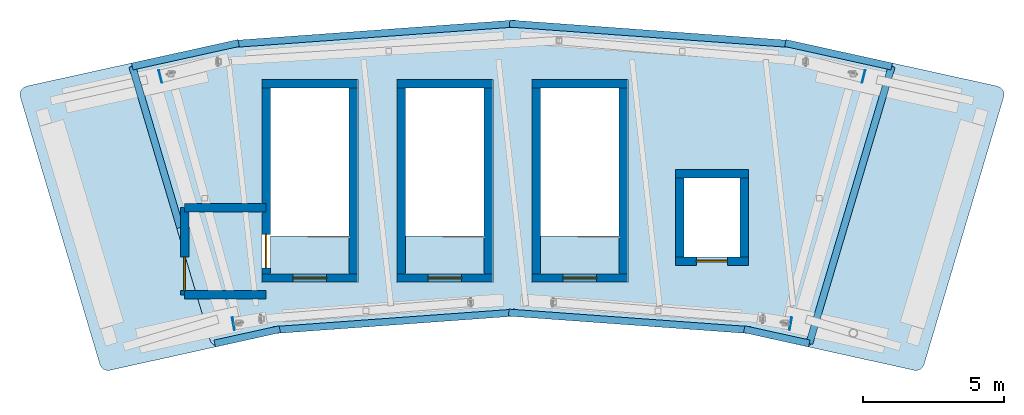
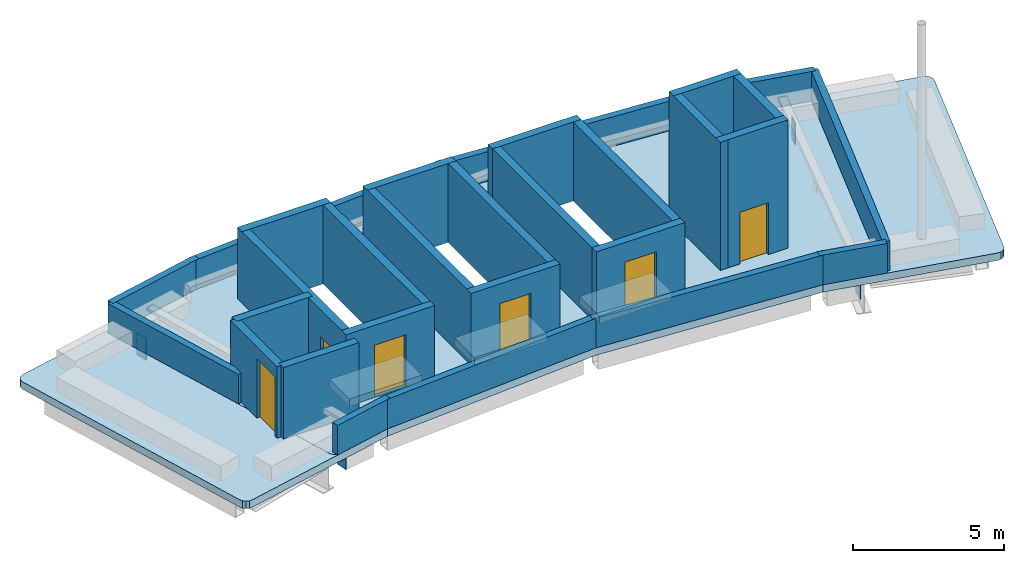
# One storey, part 3 of 6: 29 walls, 6 doors, 6 slabs, 4 discrete accessories, 6 openings.
"""IFC4 building model written with IfcOpenShell, lengths in metres."""

from ifc_helpers import new_model, si_unit, direction, frame, frame_2d, origin, origin_2d, place, context, subcontext, project, spatial, polyline, rectangle, outline, extrude, material, layer, layer_set, type_object, element, fill, save


model = new_model("IFC4")

# Units and contexts
model_context = context("Model", 3, precision=1e-05, world=origin(), true_north=direction((0.0, 1.0)))
body_context = subcontext(model_context, "Body", "Model", "MODEL_VIEW")
ifc_project = project(units=[si_unit("LENGTHUNIT", "METRE"), si_unit("AREAUNIT", "SQUARE_METRE"), si_unit("VOLUMEUNIT", "CUBIC_METRE"), si_unit("PLANEANGLEUNIT", "RADIAN"), si_unit("MASSUNIT", "GRAM", prefix="KILO")], contexts=[model_context])

# Site, building, storey
site_placement = place(None, origin())
site = spatial("IfcSite", under=ifc_project, at=site_placement, CompositionType="ELEMENT")
building_placement = place(site_placement, origin())
building = spatial("IfcBuilding", under=site, at=building_placement, Name="Tuul Gate Civic Tower", CompositionType="ELEMENT")
storey_placement = place(building_placement, frame((0.0, 0.0, 384.10009765625)))
storey = spatial("IfcBuildingStorey", under=building, at=storey_placement, Name="Roof", CompositionType="ELEMENT", Elevation=384.10009765625)

# Slabs
ifc_material_1 = material(Name="Concrete C40/50", Category="concrete")
ifc_layer_1 = layer(ifc_material_1, 0.300048828125)
ifc_layer_set_1 = layer_set([ifc_layer_1], Name="Concrete C40/50")
slab_type_1 = type_object("IfcSlabType", Name="Core floor slab 300", PredefinedType="FLOOR", material=ifc_layer_set_1)
slab_1_placement = place(storey_placement, frame((0.0, 0.0, -0.300048828125)))
element("IfcSlab", 1, at=slab_1_placement, inside=storey, type_object=slab_type_1, Name="FLOOR SLAB", PredefinedType="FLOOR", context=body_context, shape_type="SweptSolid", body=[
    extrude(outline(polyline([(-3.610107421875, -0.590087890625), (-3.610107421875, 0.75), (-6.389892578125, 0.75), (-6.389892578125, -0.590087890625), (-3.610107421875, -0.590087890625)])), origin(), (0.0, 0.0, 1.0), 0.300048828125),
])
slab_2_placement = place(storey_placement, frame((0.0, 0.0, -0.300048828125)))
element("IfcSlab", 2, at=slab_2_placement, inside=storey, type_object=slab_type_1, Name="FLOOR SLAB", PredefinedType="FLOOR", context=body_context, shape_type="SweptSolid", body=[
    extrude(outline(polyline([(1.18994140625, -0.590087890625), (1.18994140625, 0.75), (-1.590087890625, 0.75), (-1.590087890625, -0.590087890625), (1.18994140625, -0.590087890625)])), origin(), (0.0, 0.0, 1.0), 0.300048828125),
])
slab_3_placement = place(storey_placement, frame((0.0, 0.0, -0.300048828125)))
element("IfcSlab", 3, at=slab_3_placement, inside=storey, type_object=slab_type_1, Name="FLOOR SLAB", PredefinedType="FLOOR", context=body_context, shape_type="SweptSolid", body=[
    extrude(outline(polyline([(5.989990234375, -0.590087890625), (5.989990234375, 0.75), (3.2099609375, 0.75), (3.2099609375, -0.590087890625), (5.989990234375, -0.590087890625)])), origin(), (0.0, 0.0, 1.0), 0.300048828125),
])
ifc_material_2 = material(Name="Concrete C40/50", Category="concrete")
ifc_layer_2 = layer(ifc_material_2, 0.300048828125)
ifc_layer_set_2 = layer_set([ifc_layer_2], Name="Concrete C40/50")
slab_type_2 = type_object("IfcSlabType", Name="STR-ROOF-SLAB-300", PredefinedType="ROOF", material=ifc_layer_set_2)
slab_4_placement = place(storey_placement, frame((0.0, 0.0, -0.300048828125)))
element("IfcSlab", 4, at=slab_4_placement, inside=storey, type_object=slab_type_2, Name="deck terrace", PredefinedType="ROOF", context=body_context, shape_type="SweptSolid", body=[
    extrude(outline(polyline([(12.875, -3.05810546875), (12.927001953125, -2.958984375), (15.758056640625, 6.554931640625), (15.76806640625, 6.677001953125), (15.72900390625, 6.79296875), (15.64599609375, 6.883056640625), (15.534912109375, 6.93310546875), (12.06103515625, 7.698974609375), (2.19189453125, 8.4140625), (-7.677001953125, 7.698974609375), (-11.15087890625, 6.93310546875), (-11.261962890625, 6.883056640625), (-11.344970703125, 6.79296875), (-11.384033203125, 6.677001953125), (-11.3740234375, 6.554931640625), (-8.54296875, -2.958984375), (-8.490966796875, -3.05810546875), (-8.406982421875, -3.132080078125), (-8.302001953125, -3.169921875), (-8.19091796875, -3.166015625), (-6.159912109375, -2.718994140625), (2.19189453125, -2.114013671875), (10.5439453125, -2.718994140625), (12.574951171875, -3.166015625), (12.68603515625, -3.169921875), (12.791015625, -3.132080078125), (12.875, -3.05810546875)]), holes=[polyline([(10.300048828125, 0.0), (8.300048828125, 0.0), (8.300048828125, 2.800048828125), (10.300048828125, 2.800048828125), (10.300048828125, 0.0)]), polyline([(-6.7099609375, -0.909912109375), (-6.7099609375, 6.31005859375), (-3.2900390625, 6.31005859375), (-3.2900390625, -0.909912109375), (-6.7099609375, -0.909912109375)]), polyline([(-1.909912109375, -0.909912109375), (-1.909912109375, 6.31005859375), (1.510009765625, 6.31005859375), (1.510009765625, -0.909912109375), (-1.909912109375, -0.909912109375)]), polyline([(2.889892578125, -0.909912109375), (2.889892578125, 6.31005859375), (6.31005859375, 6.31005859375), (6.31005859375, -0.909912109375), (2.889892578125, -0.909912109375)])]), origin(), (0.0, 0.0, 1.0), 0.300048828125),
])
ifc_material_3 = material(Name="Concrete C40/50", Category="concrete")
ifc_layer_3 = layer(ifc_material_3, 0.300048828125)
ifc_layer_set_3 = layer_set([ifc_layer_3], Name="Concrete C40/50")
slab_type_3 = type_object("IfcSlabType", Name="STR-TERRACE-SLAB-300", PredefinedType="ROOF", material=ifc_layer_set_3)
slab_5_placement = place(storey_placement, frame((0.0, 0.0, -0.300048828125)))
element("IfcSlab", 5, at=slab_5_placement, inside=storey, type_object=slab_type_3, Name="terrace 1", PredefinedType="ROOF", context=body_context, shape_type="SweptSolid", body=[
    extrude(outline(polyline([(19.450927734375, 6.070068359375), (19.56298828125, 6.02001953125), (19.64501953125, 5.928955078125), (19.68408203125, 5.81298828125), (19.674072265625, 5.69189453125), (16.843017578125, -3.822021484375), (16.7919921875, -3.9208984375), (16.7080078125, -3.9951171875), (16.60302734375, -4.032958984375), (16.490966796875, -4.030029296875), (10.5439453125, -2.718994140625), (12.574951171875, -3.166015625), (12.68603515625, -3.169921875), (12.791015625, -3.132080078125), (12.875, -3.05810546875), (12.927001953125, -2.958984375), (15.758056640625, 6.554931640625), (15.76806640625, 6.677001953125), (15.72900390625, 6.79296875), (15.64599609375, 6.883056640625), (15.534912109375, 6.93310546875), (12.06103515625, 7.698974609375), (19.450927734375, 6.070068359375)])), origin(), (0.0, 0.0, 1.0), 0.300048828125),
])
slab_6_placement = place(storey_placement, frame((0.0, 0.0, -0.300048828125)))
element("IfcSlab", 6, at=slab_6_placement, inside=storey, type_object=slab_type_3, Name="terrace 2", PredefinedType="ROOF", context=body_context, shape_type="SweptSolid", body=[
    extrude(outline(polyline([(-12.10693359375, -4.030029296875), (-12.218994140625, -4.032958984375), (-12.323974609375, -3.9951171875), (-12.407958984375, -3.9208984375), (-12.458984375, -3.822021484375), (-15.2900390625, 5.69189453125), (-15.300048828125, 5.81298828125), (-15.260986328125, 5.928955078125), (-15.178955078125, 6.02001953125), (-15.06689453125, 6.070068359375), (-7.677001953125, 7.698974609375), (-11.15087890625, 6.93310546875), (-11.261962890625, 6.883056640625), (-11.344970703125, 6.79296875), (-11.384033203125, 6.677001953125), (-11.3740234375, 6.554931640625), (-8.54296875, -2.958984375), (-8.490966796875, -3.05810546875), (-8.406982421875, -3.132080078125), (-8.302001953125, -3.169921875), (-8.19091796875, -3.166015625), (-6.159912109375, -2.718994140625), (-12.10693359375, -4.030029296875)])), origin(), (0.0, 0.0, 1.0), 0.300048828125),
])

# Wall
ifc_material_4 = material(Name="Concrete C50/60", Category="concrete")
ifc_layer_4 = layer(ifc_material_4, 0.300048828125)
ifc_layer_set_4 = layer_set([ifc_layer_4], Name="Concrete C50/60")
wall_type_1 = type_object("IfcWallType", Name="Core wall C50/60", PredefinedType="SHEAR", material=ifc_layer_set_4)
wall_1_placement = place(storey_placement, frame((-3.449951171875, -0.89990234375, -0.300048828125), z_axis=(0.0, 0.0, 1.0), x_axis=(0.0, 1.0, 0.0)))
element("IfcWall", 7, at=wall_1_placement, inside=storey, type_object=wall_type_1, Name="Core wall", PredefinedType="SHEAR", context=body_context, shape_type="SweptSolid", body=[
    extrude(rectangle(XDim=7.199951171875, YDim=0.300048828125, at=frame_2d((3.60009765625, 0.0))), origin(), (0.0, 0.0, 1.0), 3.199951171875),
])

# Wall, opening, door
wall_2_placement = place(storey_placement, frame((-6.550048828125, 6.300048828125, -0.300048828125), z_axis=(0.0, 0.0, 1.0), x_axis=(0.0, -1.0, 0.0)))
wall_2 = element("IfcWall", 8, at=wall_2_placement, inside=storey, type_object=wall_type_1, Name="Core wall", PredefinedType="SHEAR", context=body_context, shape_type="SweptSolid", body=[
    extrude(rectangle(XDim=7.199951171875, YDim=0.300048828125, at=frame_2d((3.60009765625, 0.0))), origin(), (0.0, 0.0, 1.0), 3.199951171875),
])
opening_1_placement = place(wall_2_placement, frame((5.5, 0.0, 0.0)))
opening_1 = element("IfcOpeningElement", 9, at=opening_1_placement, cuts=wall_2, Name="Opening SD-ST-5", PredefinedType="OPENING", context=body_context, shape_type="SweptSolid", body=[
    extrude(rectangle(XDim=1.199951171875, YDim=2.10009765625, at=frame_2d((0.60009765625, 1.050048828125))), frame((0.0, 0.16015625, 0.0), z_axis=(0.0, -1.0, 0.0), x_axis=(1.0, 0.0, 0.0)), (0.0, 0.0, 1.0), 0.320068359375),
])
ifc_material_5 = material(Name="Steel", Category="steel")
door_type_1 = type_object("IfcDoorType", Name="Stair door", OperationType="NOTDEFINED", PredefinedType="DOOR", material=ifc_material_5)
door_1_placement = place(opening_1_placement, frame((1.199951171875, 0.0, 0.0), z_axis=(0.0, 0.0, 1.0), x_axis=(-1.0, 0.0, 0.0)))
door_1 = element("IfcDoor", 10, at=door_1_placement, inside=storey, type_object=door_type_1, Name="Stair door ST-5", OperationType="SINGLE_SWING_LEFT", OverallHeight=2.10009765625, OverallWidth=1.199951171875, PredefinedType="DOOR", context=body_context, shape_type="SweptSolid", body=[
    extrude(rectangle(XDim=1.199951171875, YDim=2.10009765625, at=frame_2d((0.599853515625, 1.050048828125))), frame((0.0, 0.02490234375, 0.0), z_axis=(0.0, -1.0, 0.0), x_axis=(1.0, 0.0, 0.0)), (0.0, 0.0, 1.0), 0.050048828125),
])
fill(opening_1, door_1)

# Wall
wall_3_placement = place(storey_placement, frame((-3.300048828125, 6.14990234375, -0.300048828125), z_axis=(0.0, 0.0, 1.0), x_axis=(-1.0, 0.0, 0.0)))
element("IfcWall", 11, at=wall_3_placement, inside=storey, type_object=wall_type_1, Name="Core wall", PredefinedType="SHEAR", context=body_context, shape_type="SweptSolid", body=[
    extrude(rectangle(XDim=3.39990234375, YDim=0.300048828125, at=frame_2d((1.699951171875, 0.0))), origin(), (0.0, 0.0, 1.0), 3.199951171875),
])

# Wall, opening, door
wall_4_placement = place(storey_placement, frame((-3.300048828125, -0.75, -0.300048828125), z_axis=(0.0, 0.0, 1.0), x_axis=(-1.0, 0.0, 0.0)))
wall_4 = element("IfcWall", 12, at=wall_4_placement, inside=storey, type_object=wall_type_1, Name="Core wall", PredefinedType="SHEAR", context=body_context, shape_type="SweptSolid", body=[
    extrude(rectangle(XDim=3.39990234375, YDim=0.300048828125, at=frame_2d((1.699951171875, 0.0))), origin(), (0.0, 0.0, 1.0), 3.199951171875),
])
opening_2_placement = place(wall_4_placement, frame((1.10009765625, 0.0, 0.300048828125)))
opening_2 = element("IfcOpeningElement", 13, at=opening_2_placement, cuts=wall_4, Name="Opening SD-ST-5", PredefinedType="OPENING", context=body_context, shape_type="SweptSolid", body=[
    extrude(rectangle(XDim=1.199951171875, YDim=2.10009765625, at=frame_2d((0.60009765625, 1.050048828125))), frame((0.0, 0.16015625, 0.0), z_axis=(0.0, -1.0, 0.0), x_axis=(1.0, 0.0, 0.0)), (0.0, 0.0, 1.0), 0.320068359375),
])
door_2_placement = place(opening_2_placement, origin())
door_2 = element("IfcDoor", 14, at=door_2_placement, inside=storey, type_object=door_type_1, Name="Stair door ST-5", OperationType="SINGLE_SWING_LEFT", OverallHeight=2.10009765625, OverallWidth=1.199951171875, PredefinedType="DOOR", context=body_context, shape_type="SweptSolid", body=[
    extrude(rectangle(XDim=1.199951171875, YDim=2.10009765625, at=frame_2d((0.60009765625, 1.050048828125))), frame((0.0, 0.02490234375, 0.0), z_axis=(0.0, -1.0, 0.0), x_axis=(1.0, 0.0, 0.0)), (0.0, 0.0, 1.0), 0.050048828125),
])
fill(opening_2, door_2)

# Walls
for number, where, z_axis, x_axis, name in (
    (15, (1.35009765625, -0.89990234375, -0.300048828125), (0.0, 0.0, 1.0), (0.0, 1.0, 0.0), "Core wall"),
    (16, (-1.75, 6.300048828125, -0.300048828125), (0.0, 0.0, 1.0), (0.0, -1.0, 0.0), "Core wall"),
):
    element("IfcWall", number, at=place(storey_placement, frame(where, z_axis=z_axis, x_axis=x_axis)), inside=storey, type_object=wall_type_1, Name=name, PredefinedType="SHEAR", context=body_context, shape_type="SweptSolid", body=[
        extrude(rectangle(XDim=7.199951171875, YDim=0.300048828125, at=frame_2d((3.60009765625, 0.0))), origin(), (0.0, 0.0, 1.0), 3.199951171875),
    ])
wall_5_placement = place(storey_placement, frame((1.5, 6.14990234375, -0.300048828125), z_axis=(0.0, 0.0, 1.0), x_axis=(-1.0, 0.0, 0.0)))
element("IfcWall", 17, at=wall_5_placement, inside=storey, type_object=wall_type_1, Name="Core wall", PredefinedType="SHEAR", context=body_context, shape_type="SweptSolid", body=[
    extrude(rectangle(XDim=3.39990234375, YDim=0.300048828125, at=frame_2d((1.699951171875, 0.0))), origin(), (0.0, 0.0, 1.0), 3.199951171875),
])

# Wall, opening, door
wall_6_placement = place(storey_placement, frame((1.5, -0.75, -0.300048828125), z_axis=(0.0, 0.0, 1.0), x_axis=(-1.0, 0.0, 0.0)))
wall_6 = element("IfcWall", 18, at=wall_6_placement, inside=storey, type_object=wall_type_1, Name="Core wall", PredefinedType="SHEAR", context=body_context, shape_type="SweptSolid", body=[
    extrude(rectangle(XDim=3.39990234375, YDim=0.300048828125, at=frame_2d((1.699951171875, 0.0))), origin(), (0.0, 0.0, 1.0), 3.199951171875),
])
opening_3_placement = place(wall_6_placement, frame((1.10009765625, 0.0, 0.300048828125)))
opening_3 = element("IfcOpeningElement", 19, at=opening_3_placement, cuts=wall_6, Name="Opening SD-ST-6", PredefinedType="OPENING", context=body_context, shape_type="SweptSolid", body=[
    extrude(rectangle(XDim=1.199951171875, YDim=2.10009765625, at=frame_2d((0.60009765625, 1.050048828125))), frame((0.0, 0.16015625, 0.0), z_axis=(0.0, -1.0, 0.0), x_axis=(1.0, 0.0, 0.0)), (0.0, 0.0, 1.0), 0.320068359375),
])
door_3_placement = place(opening_3_placement, origin())
door_3 = element("IfcDoor", 20, at=door_3_placement, inside=storey, type_object=door_type_1, Name="Stair door ST-6", OperationType="SINGLE_SWING_LEFT", OverallHeight=2.10009765625, OverallWidth=1.199951171875, PredefinedType="DOOR", context=body_context, shape_type="SweptSolid", body=[
    extrude(rectangle(XDim=1.199951171875, YDim=2.10009765625, at=frame_2d((0.60009765625, 1.050048828125))), frame((0.0, 0.02490234375, 0.0), z_axis=(0.0, -1.0, 0.0), x_axis=(1.0, 0.0, 0.0)), (0.0, 0.0, 1.0), 0.050048828125),
])
fill(opening_3, door_3)

# Walls
for number, where, z_axis, x_axis, name in (
    (21, (6.14990234375, -0.89990234375, -0.300048828125), (0.0, 0.0, 1.0), (0.0, 1.0, 0.0), "Core wall"),
    (22, (3.050048828125, 6.300048828125, -0.300048828125), (0.0, 0.0, 1.0), (0.0, -1.0, 0.0), "Core wall"),
):
    element("IfcWall", number, at=place(storey_placement, frame(where, z_axis=z_axis, x_axis=x_axis)), inside=storey, type_object=wall_type_1, Name=name, PredefinedType="SHEAR", context=body_context, shape_type="SweptSolid", body=[
        extrude(rectangle(XDim=7.199951171875, YDim=0.300048828125, at=frame_2d((3.60009765625, 0.0))), origin(), (0.0, 0.0, 1.0), 3.199951171875),
    ])
wall_7_placement = place(storey_placement, frame((6.300048828125, 6.14990234375, -0.300048828125), z_axis=(0.0, 0.0, 1.0), x_axis=(-1.0, 0.0, 0.0)))
element("IfcWall", 23, at=wall_7_placement, inside=storey, type_object=wall_type_1, Name="Core wall", PredefinedType="SHEAR", context=body_context, shape_type="SweptSolid", body=[
    extrude(rectangle(XDim=3.400146484375, YDim=0.300048828125, at=frame_2d((1.7001953125, 0.0))), origin(), (0.0, 0.0, 1.0), 3.199951171875),
])

# Wall, opening, door
wall_8_placement = place(storey_placement, frame((6.300048828125, -0.75, -0.300048828125), z_axis=(0.0, 0.0, 1.0), x_axis=(-1.0, 0.0, 0.0)))
wall_8 = element("IfcWall", 24, at=wall_8_placement, inside=storey, type_object=wall_type_1, Name="Core wall", PredefinedType="SHEAR", context=body_context, shape_type="SweptSolid", body=[
    extrude(rectangle(XDim=3.400146484375, YDim=0.300048828125, at=frame_2d((1.7001953125, 0.0))), origin(), (0.0, 0.0, 1.0), 3.199951171875),
])
opening_4_placement = place(wall_8_placement, frame((1.10009765625, 0.0, 0.300048828125)))
opening_4 = element("IfcOpeningElement", 25, at=opening_4_placement, cuts=wall_8, Name="Opening SD-ST-7", PredefinedType="OPENING", context=body_context, shape_type="SweptSolid", body=[
    extrude(rectangle(XDim=1.199951171875, YDim=2.10009765625, at=frame_2d((0.60009765625, 1.050048828125))), frame((0.0, 0.16015625, 0.0), z_axis=(0.0, -1.0, 0.0), x_axis=(1.0, 0.0, 0.0)), (0.0, 0.0, 1.0), 0.320068359375),
])
door_4_placement = place(opening_4_placement, origin())
door_4 = element("IfcDoor", 26, at=door_4_placement, inside=storey, type_object=door_type_1, Name="Stair door ST-7", OperationType="SINGLE_SWING_LEFT", OverallHeight=2.10009765625, OverallWidth=1.199951171875, PredefinedType="DOOR", context=body_context, shape_type="SweptSolid", body=[
    extrude(rectangle(XDim=1.199951171875, YDim=2.10009765625, at=frame_2d((0.60009765625, 1.050048828125))), frame((0.0, 0.02490234375, 0.0), z_axis=(0.0, -1.0, 0.0), x_axis=(1.0, 0.0, 0.0)), (0.0, 0.0, 1.0), 0.050048828125),
])
fill(opening_4, door_4)

# Walls
ifc_material_6 = material(Name="Concrete C40/50", Category="concrete")
ifc_layer_5 = layer(ifc_material_6, 0.300048828125)
ifc_layer_set_5 = layer_set([ifc_layer_5], Name="Concrete C40/50")
wall_type_2 = type_object("IfcWallType", Name="Lift overrun wall C40/50", PredefinedType="STANDARD", material=ifc_layer_set_5)
for number, where, z_axis, x_axis, name in (
    (27, (10.449951171875, -0.300048828125, 0.0), (0.0, 0.0, 1.0), (0.0, 1.0, 0.0), "Shaft wall"),
    (28, (8.14990234375, 3.10009765625, 0.0), (0.0, 0.0, 1.0), (0.0, -1.0, 0.0), "Shaft wall"),
):
    element("IfcWall", number, at=place(storey_placement, frame(where, z_axis=z_axis, x_axis=x_axis)), inside=storey, type_object=wall_type_2, Name=name, PredefinedType="STANDARD", context=body_context, shape_type="SweptSolid", body=[
        extrude(rectangle(XDim=3.400146484375, YDim=0.300048828125, at=frame_2d((1.7001953125, 0.0))), origin(), (0.0, 0.0, 1.0), 5.199951171875),
    ])
wall_9_placement = place(storey_placement, frame((10.60009765625, 2.949951171875, 0.0), z_axis=(0.0, 0.0, 1.0), x_axis=(-1.0, 0.0, 0.0)))
element("IfcWall", 29, at=wall_9_placement, inside=storey, type_object=wall_type_2, Name="Shaft wall", PredefinedType="STANDARD", context=body_context, shape_type="SweptSolid", body=[
    extrude(rectangle(XDim=2.60009765625, YDim=0.300048828125, at=frame_2d((1.300048828125, 0.0))), origin(), (0.0, 0.0, 1.0), 5.199951171875),
])

# Wall, opening, door
wall_10_placement = place(storey_placement, frame((10.60009765625, -0.14990234375, 0.0), z_axis=(0.0, 0.0, 1.0), x_axis=(-1.0, 0.0, 0.0)))
wall_10 = element("IfcWall", 30, at=wall_10_placement, inside=storey, type_object=wall_type_2, Name="Shaft wall", PredefinedType="STANDARD", context=body_context, shape_type="SweptSolid", body=[
    extrude(rectangle(XDim=2.60009765625, YDim=0.300048828125, at=frame_2d((1.300048828125, 0.0))), origin(), (0.0, 0.0, 1.0), 5.199951171875),
])
opening_5_placement = place(wall_10_placement, frame((0.75, 0.0, 0.0)))
opening_5 = element("IfcOpeningElement", 31, at=opening_5_placement, cuts=wall_10, Name="Opening LD-X4", PredefinedType="OPENING", context=body_context, shape_type="SweptSolid", body=[
    extrude(rectangle(XDim=1.10009765625, YDim=2.10009765625, at=frame_2d((0.550048828125, 1.050048828125))), frame((0.0, 0.16015625, 0.0), z_axis=(0.0, -1.0, 0.0), x_axis=(1.0, 0.0, 0.0)), (0.0, 0.0, 1.0), 0.320068359375),
])
ifc_material_7 = material(Name="Stainless steel", Category="steel")
door_type_2 = type_object("IfcDoorType", Name="Landing door", OperationType="DOUBLE_DOOR_SLIDING", PredefinedType="DOOR", material=ifc_material_7)
door_5_placement = place(opening_5_placement, origin())
door_5 = element("IfcDoor", 32, at=door_5_placement, inside=storey, type_object=door_type_2, Name="Crown lift X4 landing door", OperationType="DOUBLE_DOOR_SLIDING", OverallHeight=2.10009765625, OverallWidth=1.10009765625, PredefinedType="DOOR", context=body_context, shape_type="SweptSolid", body=[
    extrude(rectangle(XDim=1.10009765625, YDim=2.10009765625, at=frame_2d((0.550048828125, 1.050048828125))), frame((0.0, 0.02490234375, 0.0), z_axis=(0.0, -1.0, 0.0), x_axis=(1.0, 0.0, 0.0)), (0.0, 0.0, 1.0), 0.050048828125),
])
fill(opening_5, door_5)

# Walls
ifc_material_8 = material(Name="Precast concrete C40/50", Category="concrete")
ifc_layer_6 = layer(ifc_material_8, 0.25)
ifc_layer_set_6 = layer_set([ifc_layer_6], Name="Precast concrete C40/50")
wall_type_3 = type_object("IfcWallType", Name="Roof parapet", PredefinedType="PARAPET", material=ifc_layer_set_6)
wall_11_placement = place(storey_placement, frame((15.691650390625, 6.7705078125, 0.0), z_axis=(0.0, 0.0, 1.0), x_axis=(-0.976549329219, 0.215293770469, 0.0)))
element("IfcWall", 33, at=wall_11_placement, inside=storey, type_object=wall_type_3, Name="Roof parapet", PredefinedType="PARAPET", context=body_context, shape_type="SweptSolid", body=[
    extrude(rectangle(XDim=3.870361328125, YDim=0.25, at=frame_2d((1.93505859375, 0.0))), origin(), (0.0, 0.0, 1.0), 1.199951171875),
])
wall_12_placement = place(storey_placement, frame((12.126708984375, 7.56884765625, 0.0), z_axis=(0.0, 0.0, 1.0), x_axis=(-0.997385887722, 0.072259193006, 0.0)))
element("IfcWall", 34, at=wall_12_placement, inside=storey, type_object=wall_type_3, Name="Roof parapet", PredefinedType="PARAPET", context=body_context, shape_type="SweptSolid", body=[
    extrude(rectangle(XDim=10.044921875, YDim=0.25, at=frame_2d((5.0224609375, 0.0))), origin(), (0.0, 0.0, 1.0), 1.199951171875),
])
wall_13_placement = place(storey_placement, frame((2.32568359375, 8.29833984375, 0.0), z_axis=(0.0, 0.0, 1.0), x_axis=(-0.997385629684, -0.072262754577, 0.0)))
element("IfcWall", 35, at=wall_13_placement, inside=storey, type_object=wall_type_3, Name="Roof parapet", PredefinedType="PARAPET", context=body_context, shape_type="SweptSolid", body=[
    extrude(rectangle(XDim=10.094970703125, YDim=0.25, at=frame_2d((5.04736328125, 0.0))), origin(), (0.0, 0.0, 1.0), 1.199951171875),
])
wall_14_placement = place(storey_placement, frame((-7.528076171875, 7.603759765625, 0.0), z_axis=(0.0, 0.0, 1.0), x_axis=(-0.976549329219, -0.215293770469, 0.0)))
element("IfcWall", 36, at=wall_14_placement, inside=storey, type_object=wall_type_3, Name="Roof parapet", PredefinedType="PARAPET", context=body_context, shape_type="SweptSolid", body=[
    extrude(rectangle(XDim=3.870361328125, YDim=0.25, at=frame_2d((1.93505859375, 0.0))), origin(), (0.0, 0.0, 1.0), 1.199951171875),
])
wall_15_placement = place(storey_placement, frame((-11.3076171875, 6.7705078125, 0.0), z_axis=(0.0, 0.0, 1.0), x_axis=(0.285188366942, -0.95847148907, 0.0)))
element("IfcWall", 37, at=wall_15_placement, inside=storey, type_object=wall_type_3, Name="Roof parapet", PredefinedType="PARAPET", context=body_context, shape_type="SweptSolid", body=[
    extrude(rectangle(XDim=5.976318359375, YDim=0.25, at=frame_2d((2.98828125, 0.0))), origin(), (0.0, 0.0, 1.0), 1.199951171875),
])
wall_16_placement = place(storey_placement, frame((-8.376953125, -3.078857421875, 0.0), z_axis=(0.0, 0.0, 1.0), x_axis=(0.976636243255, 0.214899158584, 0.0)))
element("IfcWall", 38, at=wall_16_placement, inside=storey, type_object=wall_type_3, Name="Roof parapet", PredefinedType="PARAPET", context=body_context, shape_type="SweptSolid", body=[
    extrude(rectangle(XDim=2.36767578125, YDim=0.25, at=frame_2d((1.183837890625, 0.0))), origin(), (0.0, 0.0, 1.0), 1.199951171875),
])
for number, where, z_axis, x_axis, name in (
    (39, (-6.293701171875, -2.603271484375, 0.0), (0.0, 0.0, 1.0), (0.997386777184, 0.072246914802, 0.0), "Roof parapet"),
    (40, (2.076416015625, -1.980224609375, 0.0), (0.0, 0.0, 1.0), (0.997386777184, -0.072246914802, 0.0), "Roof parapet"),
):
    element("IfcWall", number, at=place(storey_placement, frame(where, z_axis=z_axis, x_axis=x_axis)), inside=storey, type_object=wall_type_3, Name=name, PredefinedType="PARAPET", context=body_context, shape_type="SweptSolid", body=[
        extrude(rectangle(XDim=8.623779296875, YDim=0.25, at=frame_2d((4.31201171875, 0.0))), origin(), (0.0, 0.0, 1.0), 1.199951171875),
    ])
wall_17_placement = place(storey_placement, frame((10.44873046875, -2.570068359375, 0.0), z_axis=(0.0, 0.0, 1.0), x_axis=(0.976636243255, -0.214899158584, 0.0)))
element("IfcWall", 41, at=wall_17_placement, inside=storey, type_object=wall_type_3, Name="Roof parapet", PredefinedType="PARAPET", context=body_context, shape_type="SweptSolid", body=[
    extrude(rectangle(XDim=2.36767578125, YDim=0.25, at=frame_2d((1.183837890625, 0.0))), origin(), (0.0, 0.0, 1.0), 1.199951171875),
])
wall_18_placement = place(storey_placement, frame((12.760986328125, -3.078857421875, 0.0), z_axis=(0.0, 0.0, 1.0), x_axis=(0.285191497263, 0.958470557654, 0.0)))
element("IfcWall", 42, at=wall_18_placement, inside=storey, type_object=wall_type_3, Name="Roof parapet", PredefinedType="PARAPET", context=body_context, shape_type="SweptSolid", body=[
    extrude(rectangle(XDim=10.276123046875, YDim=0.25, at=frame_2d((5.13818359375, 0.0))), origin(), (0.0, 0.0, 1.0), 1.199951171875),
])
ifc_material_9 = material(Name="Concrete C40/50", Category="concrete")
ifc_layer_7 = layer(ifc_material_9, 0.300048828125)
ifc_layer_set_7 = layer_set([ifc_layer_7], Name="Concrete C40/50")
wall_type_4 = type_object("IfcWallType", Name="Stair lobby wall C40/50", PredefinedType="STANDARD", material=ifc_layer_set_7)
for number, where, z_axis, x_axis, name in (
    (43, (-6.550048828125, -1.35009765625, 0.0), (0.0, 0.0, 1.0), (-1.0, 0.0, 0.0), "Shaft wall"),
    (44, (-9.449951171875, 1.75, 0.0), (0.0, 0.0, 1.0), (1.0, 0.0, 0.0), "Shaft wall"),
):
    element("IfcWall", number, at=place(storey_placement, frame(where, z_axis=z_axis, x_axis=x_axis)), inside=storey, type_object=wall_type_4, Name=name, PredefinedType="STANDARD", context=body_context, shape_type="SweptSolid", body=[
        extrude(rectangle(XDim=2.89990234375, YDim=0.300048828125, at=frame_2d((1.449951171875, 0.0))), origin(), (0.0, 0.0, 1.0), 2.89990234375),
    ])

# Wall, opening, door
wall_19_placement = place(storey_placement, frame((-9.449951171875, -1.35009765625, 0.0), z_axis=(0.0, 0.0, 1.0), x_axis=(0.0, 1.0, 0.0)))
wall_19 = element("IfcWall", 45, at=wall_19_placement, inside=storey, type_object=wall_type_4, Name="Shaft wall", PredefinedType="STANDARD", context=body_context, shape_type="SweptSolid", body=[
    extrude(rectangle(XDim=3.10009765625, YDim=0.300048828125, at=frame_2d((1.550048828125, 0.0))), origin(), (0.0, 0.0, 1.0), 2.89990234375),
])
opening_6_placement = place(wall_19_placement, frame((0.14990234375, 0.0, 0.0)))
opening_6 = element("IfcOpeningElement", 46, at=opening_6_placement, cuts=wall_19, Name="Opening TD4", PredefinedType="OPENING", context=body_context, shape_type="SweptSolid", body=[
    extrude(rectangle(XDim=1.199951171875, YDim=2.39990234375, at=frame_2d((0.60009765625, 1.199951171875))), frame((0.0, 0.16015625, 0.0), z_axis=(0.0, -1.0, 0.0), x_axis=(1.0, 0.0, 0.0)), (0.0, 0.0, 1.0), 0.320068359375),
])
ifc_material_10 = material(Name="Glazed aluminium", Category="aluminium")
door_type_3 = type_object("IfcDoorType", Name="Terrace door 1200", OperationType="DOUBLE_DOOR_SINGLE_SWING", PredefinedType="DOOR", material=ifc_material_10)
door_6_placement = place(opening_6_placement, origin())
door_6 = element("IfcDoor", 47, at=door_6_placement, inside=storey, type_object=door_type_3, Name="Roof deck door", OperationType="DOUBLE_DOOR_SINGLE_SWING", OverallHeight=2.39990234375, OverallWidth=1.199951171875, PredefinedType="DOOR", context=body_context, shape_type="SweptSolid", body=[
    extrude(rectangle(XDim=1.199951171875, YDim=2.39990234375, at=frame_2d((0.60009765625, 1.199951171875))), frame((0.0, 0.02490234375, 0.0), z_axis=(0.0, -1.0, 0.0), x_axis=(1.0, 0.0, 0.0)), (0.0, 0.0, 1.0), 0.050048828125),
])
fill(opening_6, door_6)

# Discrete accessories
ifc_material_11 = material(Name="Steel S355", Category="steel")
discrete_accessory_type = type_object("IfcDiscreteAccessoryType", Name="End cap plate", PredefinedType="BRACKET", material=ifc_material_11)
for number, where, z_axis, x_axis, name in (
    (48, (14.693603515625, 6.4150390625, -1.199951171875), (0.0, 0.0, 1.0), (-0.969433917447, 0.245352562048, 0.0), "End cap plate"),
    (49, (-10.309814453125, 6.4150390625, -1.199951171875), (0.0, 0.0, 1.0), (-0.969433917447, -0.245352562048, 0.0), "End cap plate"),
    (50, (-7.711181640625, -2.37744140625, -1.199951171875), (0.0, 0.0, 1.0), (0.985352329324, 0.170530897773, 0.0), "End cap plate"),
    (51, (12.09521484375, -2.37744140625, -1.199951171875), (0.0, 0.0, 1.0), (0.985352329324, -0.170530897773, 0.0), "End cap plate"),
):
    element("IfcDiscreteAccessory", number, at=place(storey_placement, frame(where, z_axis=z_axis, x_axis=x_axis)), inside=storey, type_object=discrete_accessory_type, Name=name, PredefinedType="BRACKET", context=body_context, shape_type="SweptSolid", body=[
        extrude(rectangle(XDim=0.030029296875, YDim=0.449951171875, at=origin_2d()), origin(), (0.0, 0.0, 1.0), 0.89990234375),
    ])

save(model, "model.ifc")
